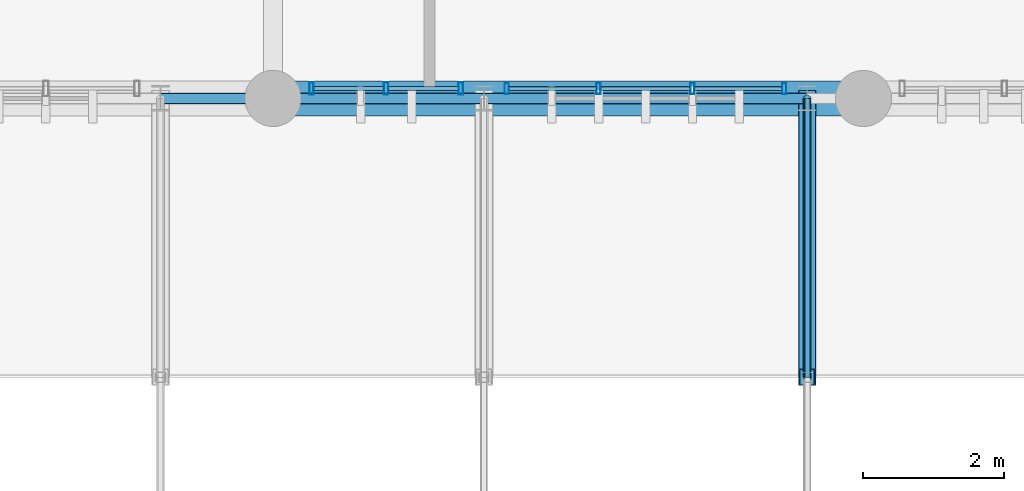
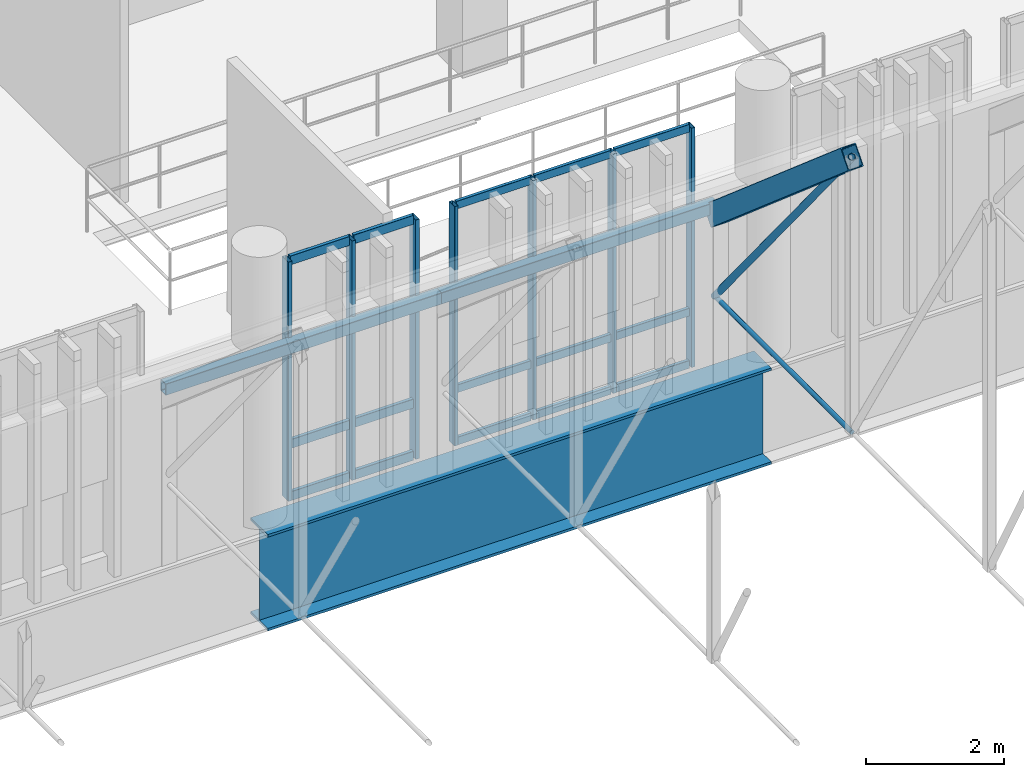
# One storey, part 18 of 109: 26 members, 2 beams, 2 elements without a shape of their own.
"""IFC4 building model written with IfcOpenShell, lengths in metres."""

from ifc_helpers import new_model, si_unit, direction, frame, origin_with_axes, origin_2d_with_axis, place, context, subcontext, project, spatial, hollow_rectangle, circle, hollow_circle, i_section, extrude, material, material_profile, profile_set, type_object, element, aggregate, save


model = new_model("IFC4")

# Units and contexts
model_context = context("Model", 3, precision=1e-05, world=origin_with_axes(), true_north=direction((0.0, 1.0)))
body_context = subcontext(model_context, "Body", "Model", "MODEL_VIEW")
ifc_project = project(units=[si_unit("LENGTHUNIT", "METRE"), si_unit("AREAUNIT", "SQUARE_METRE"), si_unit("VOLUMEUNIT", "CUBIC_METRE"), si_unit("PLANEANGLEUNIT", "RADIAN"), si_unit("MASSUNIT", "GRAM", prefix="KILO"), si_unit("THERMODYNAMICTEMPERATUREUNIT", "KELVIN")], contexts=[model_context])

# Site, building, storey
site_placement = place(None, origin_with_axes())
site = spatial("IfcSite", under=ifc_project, at=site_placement, CompositionType="ELEMENT")
building_placement = place(site_placement, origin_with_axes())
building = spatial("IfcBuilding", under=site, at=building_placement, Name="Montbau Bow Law Courts", CompositionType="ELEMENT")
storey_placement = place(building_placement, frame((0.0, 0.0, 10.8), z_axis=(0.0, 0.0, 1.0), x_axis=(1.0, 0.0, 0.0)))
storey = spatial("IfcBuildingStorey", under=building, at=storey_placement, Name="L02", CompositionType="ELEMENT", Elevation=10.8)

# Beams
ifc_material_1 = material(Name="Steel CSA G40.21 Grade 350WT (350 MPa)", Category="steel")
ifc_material_profile_1 = material_profile(ifc_material_1, hollow_rectangle(XDim=0.254, YDim=0.356, WallThickness=0.0127, InnerFilletRadius=0.0254, OuterFilletRadius=0.0127, at=origin_2d_with_axis()), Name="HSS356X254X13", Category="Main", Priority=0)
ifc_profile_set_1 = profile_set([ifc_material_profile_1], Name="Steel CSA G40.21 Grade 350WT (350 MPa)")
beam_type_1 = type_object("IfcBeamType", Name="B-ARC-01", PredefinedType="USERDEFINED", material=ifc_profile_set_1)
beam_1_placement = place(None, frame((29.8, 26.633, 16.836), z_axis=(0.0, 0.758621798, -0.651531249), x_axis=(-1.0, 0.0, 0.0)))
element("IfcBeam", 1, at=beam_1_placement, inside=storey, type_object=beam_type_1, Name="Barrel vault roof truss arch rib V1-036", ObjectType="ARCH_RIB", PredefinedType="USERDEFINED", context=body_context, shape_type="SweptSolid", body=[
    extrude(hollow_rectangle(XDim=0.254, YDim=0.356, WallThickness=0.0127, InnerFilletRadius=0.0254, OuterFilletRadius=0.0127, at=origin_2d_with_axis()), origin_with_axes(), (0.0, 0.0, 1.0), 5.22922),
])
ifc_material_profile_2 = material_profile(ifc_material_1, i_section(OverallWidth=0.5, OverallDepth=1.7, WebThickness=0.02, FlangeThickness=0.045, at=origin_2d_with_axis()), Name="WWF1700X480", Category="Main", Priority=0)
ifc_profile_set_2 = profile_set([ifc_material_profile_2], Name="Steel CSA G40.21 Grade 350WT (350 MPa)")
beam_type_2 = type_object("IfcBeamType", Name="B-TRG-02", PredefinedType="USERDEFINED", material=ifc_profile_set_2)
beam_2_placement = place(None, frame((22.2, 30.6, 9.73), z_axis=(1.0, 0.0, 0.0), x_axis=(0.0, 1.0, 0.0)))
element("IfcBeam", 2, at=beam_2_placement, inside=storey, type_object=beam_type_2, Name="VRG-L02-S0007:bm2_0010", ObjectType="GIRDER", PredefinedType="USERDEFINED", context=body_context, shape_type="SweptSolid", body=[
    extrude(i_section(OverallWidth=0.5, OverallDepth=1.7, WebThickness=0.02, FlangeThickness=0.045, at=origin_2d_with_axis()), origin_with_axes(), (0.0, 0.0, 1.0), 8.4),
])

# Curtain wall, members
ifc_material_2 = material(Name="Thermally Broken Extruded Aluminium AA 6063-T6", Category="aluminium")
curtain_wall_type = type_object("IfcCurtainWallType", Name="CW-TRC-01", PredefinedType="NOTDEFINED", material=ifc_material_2)
curtain_wall_1_placement = place(None, frame((22.715, 30.74, 10.8), z_axis=(0.0, 0.0, 1.0), x_axis=(1.0, 0.0, 0.0)))
curtain_wall_1 = element("IfcCurtainWall", 3, at=curtain_wall_1_placement, inside=storey, type_object=curtain_wall_type, Name="CW-L02-034:cw_0034", PredefinedType="NOTDEFINED")
ifc_material_profile_3 = material_profile(ifc_material_2, hollow_rectangle(XDim=0.065, YDim=0.18, WallThickness=0.005, InnerFilletRadius=0.01, OuterFilletRadius=0.005, at=origin_2d_with_axis()), Name="CWM-180X65", Category="Main", Priority=0)
ifc_profile_set_3 = profile_set([ifc_material_profile_3], Name="Thermally Broken Extruded Aluminium AA 6063-T6")
member_type_1 = type_object("IfcMemberType", Name="M-MUL-02", PredefinedType="MULLION", material=ifc_profile_set_3)
member_1_placement = place(None, frame((22.748, 30.74, 10.8), z_axis=(0.0, 0.0, 1.0), x_axis=(1.0, 0.0, 0.0)))
member_1 = element("IfcMember", 4, at=member_1_placement, type_object=member_type_1, Name="CW-L02-034-M01:cw_0034_M01", PredefinedType="MULLION", context=body_context, shape_type="SweptSolid", body=[
    extrude(hollow_rectangle(XDim=0.065, YDim=0.18, WallThickness=0.005, InnerFilletRadius=0.01, OuterFilletRadius=0.005, at=origin_2d_with_axis()), origin_with_axes(), (0.0, 0.0, 1.0), 4.22),
])
member_2_placement = place(None, frame((23.81, 30.74, 10.8), z_axis=(0.0, 0.0, 1.0), x_axis=(1.0, 0.0, 0.0)))
member_2 = element("IfcMember", 5, at=member_2_placement, type_object=member_type_1, Name="CW-L02-034-M02:cw_0034_M02", PredefinedType="MULLION", context=body_context, shape_type="SweptSolid", body=[
    extrude(hollow_rectangle(XDim=0.065, YDim=0.18, WallThickness=0.005, InnerFilletRadius=0.01, OuterFilletRadius=0.005, at=origin_2d_with_axis()), origin_with_axes(), (0.0, 0.0, 1.0), 4.22),
])
member_3_placement = place(None, frame((24.871, 30.74, 10.8), z_axis=(0.0, 0.0, 1.0), x_axis=(1.0, 0.0, 0.0)))
member_3 = element("IfcMember", 6, at=member_3_placement, type_object=member_type_1, Name="CW-L02-034-M03:cw_0034_M03", PredefinedType="MULLION", context=body_context, shape_type="SweptSolid", body=[
    extrude(hollow_rectangle(XDim=0.065, YDim=0.18, WallThickness=0.005, InnerFilletRadius=0.01, OuterFilletRadius=0.005, at=origin_2d_with_axis()), origin_with_axes(), (0.0, 0.0, 1.0), 4.22),
])

curtain_wall_2_placement = place(None, frame((25.496, 30.74, 10.8), z_axis=(0.0, 0.0, 1.0), x_axis=(1.0, 0.0, 0.0)))
curtain_wall_2 = element("IfcCurtainWall", 7, at=curtain_wall_2_placement, inside=storey, type_object=curtain_wall_type, Name="CW-L02-035:cw_0035", PredefinedType="NOTDEFINED")
ifc_material_profile_4 = material_profile(ifc_material_2, hollow_rectangle(XDim=0.06, YDim=0.16, WallThickness=0.004, InnerFilletRadius=0.008, OuterFilletRadius=0.004, at=origin_2d_with_axis()), Name="CWM-160X60", Category="Main", Priority=0)
ifc_profile_set_4 = profile_set([ifc_material_profile_4], Name="Thermally Broken Extruded Aluminium AA 6063-T6")
member_type_2 = type_object("IfcMemberType", Name="M-MUL-03", PredefinedType="MULLION", material=ifc_profile_set_4)
member_4_placement = place(None, frame((25.526, 30.74, 10.8), z_axis=(0.0, 0.0, 1.0), x_axis=(1.0, 0.0, 0.0)))
member_4 = element("IfcMember", 8, at=member_4_placement, type_object=member_type_2, Name="CW-L02-035-M01:cw_0035_M01", PredefinedType="MULLION", context=body_context, shape_type="SweptSolid", body=[
    extrude(hollow_rectangle(XDim=0.06, YDim=0.16, WallThickness=0.004, InnerFilletRadius=0.008, OuterFilletRadius=0.004, at=origin_2d_with_axis()), origin_with_axes(), (0.0, 0.0, 1.0), 4.22),
])
member_5_placement = place(None, frame((26.832, 30.74, 10.8), z_axis=(0.0, 0.0, 1.0), x_axis=(1.0, 0.0, 0.0)))
member_5 = element("IfcMember", 9, at=member_5_placement, type_object=member_type_2, Name="CW-L02-035-M02:cw_0035_M02", PredefinedType="MULLION", context=body_context, shape_type="SweptSolid", body=[
    extrude(hollow_rectangle(XDim=0.06, YDim=0.16, WallThickness=0.004, InnerFilletRadius=0.008, OuterFilletRadius=0.004, at=origin_2d_with_axis()), origin_with_axes(), (0.0, 0.0, 1.0), 4.22),
])
member_6_placement = place(None, frame((28.168, 30.74, 10.8), z_axis=(0.0, 0.0, 1.0), x_axis=(1.0, 0.0, 0.0)))
member_6 = element("IfcMember", 10, at=member_6_placement, type_object=member_type_2, Name="CW-L02-035-M03:cw_0035_M03", PredefinedType="MULLION", context=body_context, shape_type="SweptSolid", body=[
    extrude(hollow_rectangle(XDim=0.06, YDim=0.16, WallThickness=0.004, InnerFilletRadius=0.008, OuterFilletRadius=0.004, at=origin_2d_with_axis()), origin_with_axes(), (0.0, 0.0, 1.0), 4.22),
])
member_7_placement = place(None, frame((29.474, 30.74, 10.8), z_axis=(0.0, 0.0, 1.0), x_axis=(1.0, 0.0, 0.0)))
member_7 = element("IfcMember", 11, at=member_7_placement, type_object=member_type_2, Name="CW-L02-035-M04:cw_0035_M04", PredefinedType="MULLION", context=body_context, shape_type="SweptSolid", body=[
    extrude(hollow_rectangle(XDim=0.06, YDim=0.16, WallThickness=0.004, InnerFilletRadius=0.008, OuterFilletRadius=0.004, at=origin_2d_with_axis()), origin_with_axes(), (0.0, 0.0, 1.0), 4.22),
])

# Members
ifc_material_profile_5 = material_profile(ifc_material_1, hollow_rectangle(XDim=0.152, YDim=0.203, WallThickness=0.0095, InnerFilletRadius=0.019, OuterFilletRadius=0.0095, at=origin_2d_with_axis()), Name="HSS203X152X9.5", Category="Main", Priority=0)
ifc_profile_set_5 = profile_set([ifc_material_profile_5], Name="Steel CSA G40.21 Grade 350WT (350 MPa)")
member_type_3 = type_object("IfcMemberType", Name="M-PUR-01", PredefinedType="PURLIN", material=ifc_profile_set_5)
for number, where, z_axis, x_axis, name in (
    (12, (20.6, 30.6, 13.587), (1.0, 0.0, 0.0), (0.0, 1.0, 0.0), "Barrel vault roof truss purlin V1-028"),
    (13, (25.2, 30.6, 13.587), (1.0, 0.0, 0.0), (0.0, 1.0, 0.0), "Barrel vault roof truss purlin V1-035"),
):
    element("IfcMember", number, at=place(None, frame(where, z_axis=z_axis, x_axis=x_axis)), inside=storey, type_object=member_type_3, Name=name, PredefinedType="PURLIN", context=body_context, shape_type="SweptSolid", body=[
        extrude(hollow_rectangle(XDim=0.152, YDim=0.203, WallThickness=0.0095, InnerFilletRadius=0.019, OuterFilletRadius=0.0095, at=origin_2d_with_axis()), origin_with_axes(), (0.0, 0.0, 1.0), 4.6),
    ])
ifc_material_profile_6 = material_profile(ifc_material_1, hollow_circle(Radius=0.057, WallThickness=0.008, at=origin_2d_with_axis()), Name="HSS114X8.0", Category="Main", Priority=0)
ifc_profile_set_6 = profile_set([ifc_material_profile_6], Name="Steel CSA G40.21 Grade 350WT (350 MPa)")
member_type_4 = type_object("IfcMemberType", Name="M-STR-03", PredefinedType="STRUT", material=ifc_profile_set_6)
member_8_placement = place(None, frame((29.8, 26.633, 16.836), z_axis=(0.0, 0.632577617, -0.774496971), x_axis=(-1.0, 0.0, 0.0)))
element("IfcMember", 14, at=member_8_placement, inside=storey, type_object=member_type_4, Name="Barrel vault roof truss web diagonal V1-06-6", PredefinedType="STRUT", context=body_context, shape_type="SweptSolid", body=[
    extrude(hollow_circle(Radius=0.057, WallThickness=0.008, at=origin_2d_with_axis()), origin_with_axes(), (0.0, 0.0, 1.0), 6.271167),
])
ifc_material_profile_7 = material_profile(ifc_material_1, circle(Radius=0.038, at=origin_2d_with_axis()), Name="ROD76", Category="Main", Priority=0)
ifc_profile_set_7 = profile_set([ifc_material_profile_7], Name="Steel CSA G40.21 Grade 350WT (350 MPa)")
member_type_5 = type_object("IfcMemberType", Name="M-TIE-01", PredefinedType="USERDEFINED", material=ifc_profile_set_7)
member_9_placement = place(None, frame((29.8, 26.633, 11.979), z_axis=(0.0, 1.0, 0.0), x_axis=(-1.0, 0.0, 0.0)))
element("IfcMember", 15, at=member_9_placement, inside=storey, type_object=member_type_5, Name="Barrel vault roof truss tie V1-036", ObjectType="TIEBAR", PredefinedType="USERDEFINED", context=body_context, shape_type="SweptSolid", body=[
    extrude(circle(Radius=0.038, at=origin_2d_with_axis()), origin_with_axes(), (0.0, 0.0, 1.0), 3.967),
])

# Member
ifc_material_profile_8 = material_profile(ifc_material_2, hollow_rectangle(XDim=0.06, YDim=0.16, WallThickness=0.004, InnerFilletRadius=0.008, OuterFilletRadius=0.004, at=origin_2d_with_axis()), Name="CWT-160X60", Category="Main", Priority=0)
ifc_profile_set_8 = profile_set([ifc_material_profile_8], Name="Thermally Broken Extruded Aluminium AA 6063-T6")
member_type_6 = type_object("IfcMemberType", Name="M-TRN-01", PredefinedType="USERDEFINED", material=ifc_profile_set_8)
member_10_placement = place(None, frame((22.783, 30.74, 10.83), z_axis=(1.0, 0.0, 0.0), x_axis=(0.0, 1.0, 0.0)))
member_10 = element("IfcMember", 16, at=member_10_placement, type_object=member_type_6, Name="CW-L02-034-T01-1:cw_0034_T01_1", ObjectType="TRANSOM", PredefinedType="USERDEFINED", context=body_context, shape_type="SweptSolid", body=[
    extrude(hollow_rectangle(XDim=0.06, YDim=0.16, WallThickness=0.004, InnerFilletRadius=0.008, OuterFilletRadius=0.004, at=origin_2d_with_axis()), origin_with_axes(), (0.0, 0.0, 1.0), 0.992),
])

member_11_placement = place(None, frame((22.783, 30.74, 11.75), z_axis=(1.0, 0.0, 0.0), x_axis=(0.0, 1.0, 0.0)))
member_11 = element("IfcMember", 17, at=member_11_placement, type_object=member_type_6, Name="CW-L02-034-T01-2:cw_0034_T01_2", ObjectType="TRANSOM", PredefinedType="USERDEFINED", context=body_context, shape_type="SweptSolid", body=[
    extrude(hollow_rectangle(XDim=0.06, YDim=0.16, WallThickness=0.004, InnerFilletRadius=0.008, OuterFilletRadius=0.004, at=origin_2d_with_axis()), origin_with_axes(), (0.0, 0.0, 1.0), 0.992),
])

member_12_placement = place(None, frame((22.783, 30.74, 14.99), z_axis=(1.0, 0.0, 0.0), x_axis=(0.0, 1.0, 0.0)))
member_12 = element("IfcMember", 18, at=member_12_placement, type_object=member_type_6, Name="CW-L02-034-T01-3:cw_0034_T01_3", ObjectType="TRANSOM", PredefinedType="USERDEFINED", context=body_context, shape_type="SweptSolid", body=[
    extrude(hollow_rectangle(XDim=0.06, YDim=0.16, WallThickness=0.004, InnerFilletRadius=0.008, OuterFilletRadius=0.004, at=origin_2d_with_axis()), origin_with_axes(), (0.0, 0.0, 1.0), 0.992),
])

member_13_placement = place(None, frame((23.844, 30.74, 10.83), z_axis=(1.0, 0.0, 0.0), x_axis=(0.0, 1.0, 0.0)))
member_13 = element("IfcMember", 19, at=member_13_placement, type_object=member_type_6, Name="CW-L02-034-T02-1:cw_0034_T02_1", ObjectType="TRANSOM", PredefinedType="USERDEFINED", context=body_context, shape_type="SweptSolid", body=[
    extrude(hollow_rectangle(XDim=0.06, YDim=0.16, WallThickness=0.004, InnerFilletRadius=0.008, OuterFilletRadius=0.004, at=origin_2d_with_axis()), origin_with_axes(), (0.0, 0.0, 1.0), 0.993),
])

member_14_placement = place(None, frame((23.844, 30.74, 11.75), z_axis=(1.0, 0.0, 0.0), x_axis=(0.0, 1.0, 0.0)))
member_14 = element("IfcMember", 20, at=member_14_placement, type_object=member_type_6, Name="CW-L02-034-T02-2:cw_0034_T02_2", ObjectType="TRANSOM", PredefinedType="USERDEFINED", context=body_context, shape_type="SweptSolid", body=[
    extrude(hollow_rectangle(XDim=0.06, YDim=0.16, WallThickness=0.004, InnerFilletRadius=0.008, OuterFilletRadius=0.004, at=origin_2d_with_axis()), origin_with_axes(), (0.0, 0.0, 1.0), 0.993),
])

member_15_placement = place(None, frame((23.844, 30.74, 14.99), z_axis=(1.0, 0.0, 0.0), x_axis=(0.0, 1.0, 0.0)))
member_15 = element("IfcMember", 21, at=member_15_placement, type_object=member_type_6, Name="CW-L02-034-T02-3:cw_0034_T02_3", ObjectType="TRANSOM", PredefinedType="USERDEFINED", context=body_context, shape_type="SweptSolid", body=[
    extrude(hollow_rectangle(XDim=0.06, YDim=0.16, WallThickness=0.004, InnerFilletRadius=0.008, OuterFilletRadius=0.004, at=origin_2d_with_axis()), origin_with_axes(), (0.0, 0.0, 1.0), 0.993),
])

aggregate(curtain_wall_1, [member_1, member_2, member_3, member_10, member_11, member_12, member_13, member_14, member_15])

ifc_material_profile_9 = material_profile(ifc_material_2, hollow_rectangle(XDim=0.055, YDim=0.14, WallThickness=0.004, InnerFilletRadius=0.008, OuterFilletRadius=0.004, at=origin_2d_with_axis()), Name="CWT-140X55", Category="Main", Priority=0)
ifc_profile_set_9 = profile_set([ifc_material_profile_9], Name="Thermally Broken Extruded Aluminium AA 6063-T6")
member_type_7 = type_object("IfcMemberType", Name="M-TRN-02", PredefinedType="USERDEFINED", material=ifc_profile_set_9)
member_16_placement = place(None, frame((25.558, 30.74, 10.828), z_axis=(1.0, 0.0, 0.0), x_axis=(0.0, 1.0, 0.0)))
member_16 = element("IfcMember", 22, at=member_16_placement, type_object=member_type_7, Name="CW-L02-035-T01-1:cw_0035_T01_1", ObjectType="TRANSOM", PredefinedType="USERDEFINED", context=body_context, shape_type="SweptSolid", body=[
    extrude(hollow_rectangle(XDim=0.055, YDim=0.14, WallThickness=0.004, InnerFilletRadius=0.008, OuterFilletRadius=0.004, at=origin_2d_with_axis()), origin_with_axes(), (0.0, 0.0, 1.0), 1.242),
])

member_17_placement = place(None, frame((25.558, 30.74, 11.75), z_axis=(1.0, 0.0, 0.0), x_axis=(0.0, 1.0, 0.0)))
member_17 = element("IfcMember", 23, at=member_17_placement, type_object=member_type_7, Name="CW-L02-035-T01-2:cw_0035_T01_2", ObjectType="TRANSOM", PredefinedType="USERDEFINED", context=body_context, shape_type="SweptSolid", body=[
    extrude(hollow_rectangle(XDim=0.055, YDim=0.14, WallThickness=0.004, InnerFilletRadius=0.008, OuterFilletRadius=0.004, at=origin_2d_with_axis()), origin_with_axes(), (0.0, 0.0, 1.0), 1.242),
])

member_18_placement = place(None, frame((25.558, 30.74, 14.992), z_axis=(1.0, 0.0, 0.0), x_axis=(0.0, 1.0, 0.0)))
member_18 = element("IfcMember", 24, at=member_18_placement, type_object=member_type_7, Name="CW-L02-035-T01-3:cw_0035_T01_3", ObjectType="TRANSOM", PredefinedType="USERDEFINED", context=body_context, shape_type="SweptSolid", body=[
    extrude(hollow_rectangle(XDim=0.055, YDim=0.14, WallThickness=0.004, InnerFilletRadius=0.008, OuterFilletRadius=0.004, at=origin_2d_with_axis()), origin_with_axes(), (0.0, 0.0, 1.0), 1.242),
])

member_19_placement = place(None, frame((26.864, 30.74, 10.828), z_axis=(1.0, 0.0, 0.0), x_axis=(0.0, 1.0, 0.0)))
member_19 = element("IfcMember", 25, at=member_19_placement, type_object=member_type_7, Name="CW-L02-035-T02-1:cw_0035_T02_1", ObjectType="TRANSOM", PredefinedType="USERDEFINED", context=body_context, shape_type="SweptSolid", body=[
    extrude(hollow_rectangle(XDim=0.055, YDim=0.14, WallThickness=0.004, InnerFilletRadius=0.008, OuterFilletRadius=0.004, at=origin_2d_with_axis()), origin_with_axes(), (0.0, 0.0, 1.0), 1.272),
])

member_20_placement = place(None, frame((26.864, 30.74, 11.75), z_axis=(1.0, 0.0, 0.0), x_axis=(0.0, 1.0, 0.0)))
member_20 = element("IfcMember", 26, at=member_20_placement, type_object=member_type_7, Name="CW-L02-035-T02-2:cw_0035_T02_2", ObjectType="TRANSOM", PredefinedType="USERDEFINED", context=body_context, shape_type="SweptSolid", body=[
    extrude(hollow_rectangle(XDim=0.055, YDim=0.14, WallThickness=0.004, InnerFilletRadius=0.008, OuterFilletRadius=0.004, at=origin_2d_with_axis()), origin_with_axes(), (0.0, 0.0, 1.0), 1.272),
])

member_21_placement = place(None, frame((26.864, 30.74, 14.992), z_axis=(1.0, 0.0, 0.0), x_axis=(0.0, 1.0, 0.0)))
member_21 = element("IfcMember", 27, at=member_21_placement, type_object=member_type_7, Name="CW-L02-035-T02-3:cw_0035_T02_3", ObjectType="TRANSOM", PredefinedType="USERDEFINED", context=body_context, shape_type="SweptSolid", body=[
    extrude(hollow_rectangle(XDim=0.055, YDim=0.14, WallThickness=0.004, InnerFilletRadius=0.008, OuterFilletRadius=0.004, at=origin_2d_with_axis()), origin_with_axes(), (0.0, 0.0, 1.0), 1.272),
])

member_22_placement = place(None, frame((28.2, 30.74, 10.828), z_axis=(1.0, 0.0, 0.0), x_axis=(0.0, 1.0, 0.0)))
member_22 = element("IfcMember", 28, at=member_22_placement, type_object=member_type_7, Name="CW-L02-035-T03-1:cw_0035_T03_1", ObjectType="TRANSOM", PredefinedType="USERDEFINED", context=body_context, shape_type="SweptSolid", body=[
    extrude(hollow_rectangle(XDim=0.055, YDim=0.14, WallThickness=0.004, InnerFilletRadius=0.008, OuterFilletRadius=0.004, at=origin_2d_with_axis()), origin_with_axes(), (0.0, 0.0, 1.0), 1.242),
])

member_23_placement = place(None, frame((28.2, 30.74, 11.75), z_axis=(1.0, 0.0, 0.0), x_axis=(0.0, 1.0, 0.0)))
member_23 = element("IfcMember", 29, at=member_23_placement, type_object=member_type_7, Name="CW-L02-035-T03-2:cw_0035_T03_2", ObjectType="TRANSOM", PredefinedType="USERDEFINED", context=body_context, shape_type="SweptSolid", body=[
    extrude(hollow_rectangle(XDim=0.055, YDim=0.14, WallThickness=0.004, InnerFilletRadius=0.008, OuterFilletRadius=0.004, at=origin_2d_with_axis()), origin_with_axes(), (0.0, 0.0, 1.0), 1.242),
])

member_24_placement = place(None, frame((28.2, 30.74, 14.992), z_axis=(1.0, 0.0, 0.0), x_axis=(0.0, 1.0, 0.0)))
member_24 = element("IfcMember", 30, at=member_24_placement, type_object=member_type_7, Name="CW-L02-035-T03-3:cw_0035_T03_3", ObjectType="TRANSOM", PredefinedType="USERDEFINED", context=body_context, shape_type="SweptSolid", body=[
    extrude(hollow_rectangle(XDim=0.055, YDim=0.14, WallThickness=0.004, InnerFilletRadius=0.008, OuterFilletRadius=0.004, at=origin_2d_with_axis()), origin_with_axes(), (0.0, 0.0, 1.0), 1.242),
])

aggregate(curtain_wall_2, [member_4, member_5, member_6, member_7, member_16, member_17, member_18, member_19, member_20, member_21, member_22, member_23, member_24])

save(model, "model.ifc")
